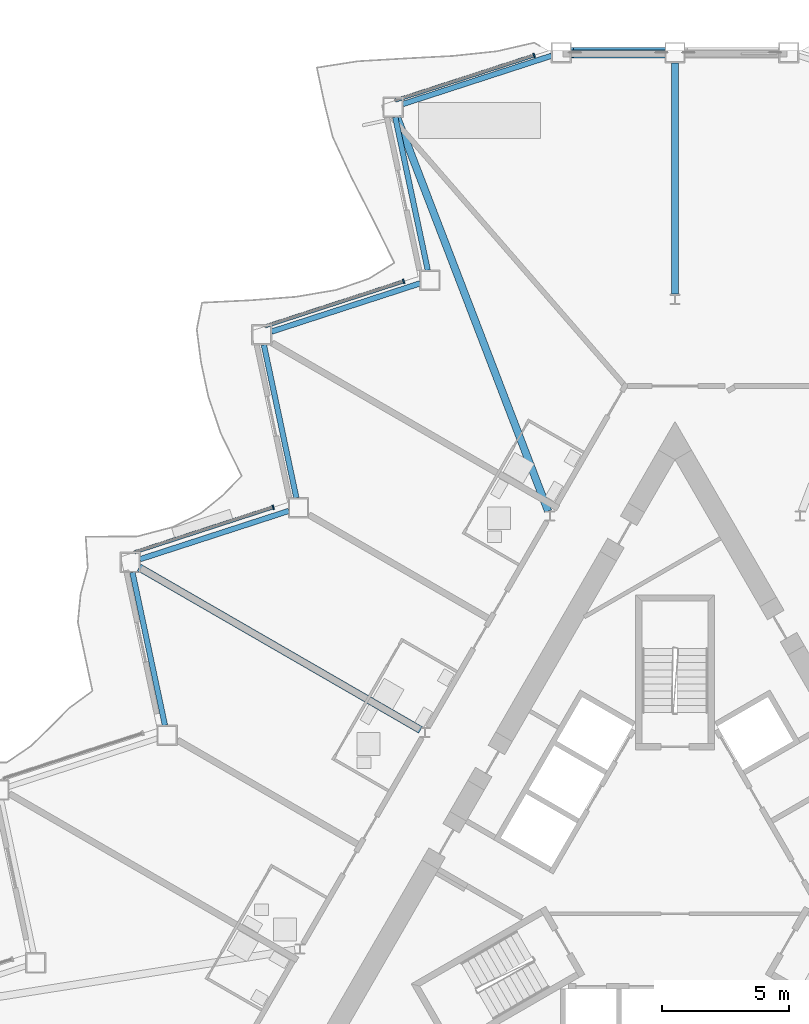
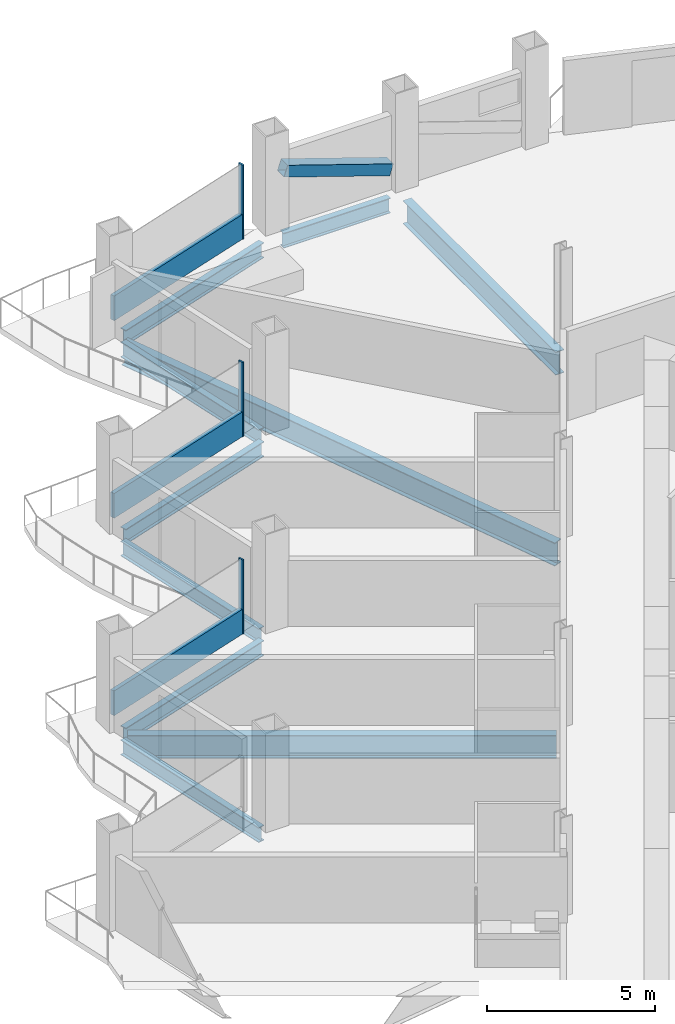
# One storey, part 7 of 23: 10 beams, 7 members, 3 elements without a shape of their own.
"""IFC4 building model written with IfcOpenShell, lengths in metres."""

from ifc_helpers import new_model, si_unit, direction, frame, origin, origin_2d, place, context, subcontext, project, spatial, rectangle, hollow_rectangle, i_section, extrude, material, layer, layer_set, material_profile, profile_set, type_object, element, aggregate, save


model = new_model("IFC4")

# Units and contexts
model_context = context("Model", 3, precision=1e-05, world=origin(), true_north=direction((0.0, 1.0)))
body_context = subcontext(model_context, "Body", "Model", "MODEL_VIEW")
ifc_project = project(units=[si_unit("LENGTHUNIT", "METRE"), si_unit("AREAUNIT", "SQUARE_METRE"), si_unit("VOLUMEUNIT", "CUBIC_METRE"), si_unit("PLANEANGLEUNIT", "RADIAN"), si_unit("MASSUNIT", "GRAM", prefix="KILO")], contexts=[model_context])

# Site, building, storey
site_placement = place(None, origin())
site = spatial("IfcSite", under=ifc_project, at=site_placement, CompositionType="ELEMENT")
building_placement = place(site_placement, origin())
building = spatial("IfcBuilding", under=site, at=building_placement, Name="Cormorant Prow Tower", CompositionType="ELEMENT")
storey_placement = place(building_placement, frame((0.0, 0.0, 180.0)))
storey = spatial("IfcBuildingStorey", under=building, at=storey_placement, Name="L38", CompositionType="ELEMENT", Elevation=180.0)

# Member
ifc_material_1 = material(Name="Structural steel ASTM A500 Gr C", Category="steel")
ifc_material_profile_1 = material_profile(ifc_material_1, hollow_rectangle(XDim=0.406494140625, YDim=0.406494140625, WallThickness=0.01171875, at=origin_2d()), Name="HSS16x16x1/2")
ifc_profile_set_1 = profile_set([ifc_material_profile_1], Name="Structural steel ASTM A500 Gr C")
member_type_1 = type_object("IfcMemberType", Name="Chamfer brace HSS16x16x1/2", PredefinedType="BRACE", material=ifc_profile_set_1)
member_1_placement = place(storey_placement, frame((-0.417236328125, 32.3994140625, 0.739990234375), z_axis=(-0.947980792039, 0.0, 0.318327532464), x_axis=(0.0, -1.0, 0.0)))
element("IfcMember", 1, at=member_1_placement, inside=storey, type_object=member_type_1, Name="Chamfer brace BR2 at N01 L38", PredefinedType="BRACE", context=body_context, shape_type="SweptSolid", body=[
    extrude(hollow_rectangle(XDim=0.406494140625, YDim=0.406494140625, WallThickness=0.01171875, at=origin_2d()), origin(), (0.0, 0.0, 1.0), 3.83544921875),
])

# Curtain wall, member
ifc_material_2 = material(Name="Aluminium 6063-T6", Category="aluminium")
ifc_layer = layer(ifc_material_2, 0.179931640625)
ifc_layer_set = layer_set([ifc_layer], Name="Aluminium 6063-T6")
curtain_wall_type = type_object("IfcCurtainWallType", Name="Hotel unitised curtain wall 180", PredefinedType="NOTDEFINED", material=ifc_layer_set)
curtain_wall_1_placement = place(storey_placement, origin())
curtain_wall_1 = element("IfcCurtainWall", 2, at=curtain_wall_1_placement, inside=storey, type_object=curtain_wall_type, Name="Hotel curtain wall WNW00", PredefinedType="NOTDEFINED")
ifc_material_3 = material(Name="Aluminium 6063-T6", Category="aluminium")
ifc_material_profile_2 = material_profile(ifc_material_3, rectangle(XDim=0.179931640625, YDim=0.06005859375, at=origin_2d()), Name="Hotel mullion 60x180")
ifc_profile_set_2 = profile_set([ifc_material_profile_2], Name="Aluminium 6063-T6")
member_type_2 = type_object("IfcMemberType", Name="Hotel mullion 60x180", PredefinedType="MULLION", material=ifc_profile_set_2)
member_2_placement = place(storey_placement, frame((-5.54052734375, 32.287109375, 0.0), z_axis=(0.0, 0.0, 1.0), x_axis=(0.309016960463, -0.951056527314, 0.0)))
member_2 = element("IfcMember", 3, at=member_2_placement, type_object=member_type_2, Name="Hotel mullion WNW00", PredefinedType="MULLION", context=body_context, shape_type="SweptSolid", body=[
    extrude(rectangle(XDim=0.179931640625, YDim=0.06005859375, at=origin_2d()), origin(), (0.0, 0.0, 1.0), 2.700927734375),
])

curtain_wall_2_placement = place(storey_placement, origin())
curtain_wall_2 = element("IfcCurtainWall", 4, at=curtain_wall_2_placement, inside=storey, type_object=curtain_wall_type, Name="Hotel curtain wall WNW02", PredefinedType="NOTDEFINED")
member_3_placement = place(storey_placement, frame((-10.667724609375, 23.40673828125, 0.0), z_axis=(0.0, 0.0, 1.0), x_axis=(0.309016960463, -0.951056527314, 0.0)))
member_3 = element("IfcMember", 5, at=member_3_placement, type_object=member_type_2, Name="Hotel mullion WNW02", PredefinedType="MULLION", context=body_context, shape_type="SweptSolid", body=[
    extrude(rectangle(XDim=0.179931640625, YDim=0.06005859375, at=origin_2d()), origin(), (0.0, 0.0, 1.0), 2.700927734375),
])

curtain_wall_3_placement = place(storey_placement, origin())
curtain_wall_3 = element("IfcCurtainWall", 6, at=curtain_wall_3_placement, inside=storey, type_object=curtain_wall_type, Name="Hotel curtain wall WNW04", PredefinedType="NOTDEFINED")
member_4_placement = place(storey_placement, frame((-15.794677734375, 14.5263671875, 0.0), z_axis=(0.0, 0.0, 1.0), x_axis=(0.309017048969, -0.951056498556, 0.0)))
member_4 = element("IfcMember", 7, at=member_4_placement, type_object=member_type_2, Name="Hotel mullion WNW04", PredefinedType="MULLION", context=body_context, shape_type="SweptSolid", body=[
    extrude(rectangle(XDim=0.179931640625, YDim=0.06005859375, at=origin_2d()), origin(), (0.0, 0.0, 1.0), 2.700927734375),
])

# Member
ifc_material_4 = material(Name="Terracotta", Category="masonry")
ifc_material_profile_3 = material_profile(ifc_material_4, rectangle(XDim=0.139892578125, YDim=0.89990234375, at=origin_2d()), Name="Hotel terracotta spandrel rail 140x900")
ifc_profile_set_3 = profile_set([ifc_material_profile_3], Name="Terracotta")
member_type_3 = type_object("IfcMemberType", Name="Hotel terracotta spandrel rail 140x900", PredefinedType="USERDEFINED", material=ifc_profile_set_3)
member_5_placement = place(storey_placement, frame((-5.569091796875, 32.27783203125, 0.449951171875), z_axis=(-0.951053256447, -0.309027026975, 0.0), x_axis=(0.309027026975, -0.951053256447, 0.0)))
member_5 = element("IfcMember", 8, at=member_5_placement, type_object=member_type_3, Name="Hotel spandrel rail WNW00", ObjectType="TRANSOM", PredefinedType="USERDEFINED", context=body_context, shape_type="SweptSolid", body=[
    extrude(rectangle(XDim=0.139892578125, YDim=0.89990234375, at=origin_2d()), origin(), (0.0, 0.0, 1.0), 5.703125),
])

aggregate(curtain_wall_1, [member_2, member_5])

member_6_placement = place(storey_placement, frame((-10.6962890625, 23.3974609375, 0.449951171875), z_axis=(-0.951053256447, -0.309027026975, 0.0), x_axis=(0.309027026975, -0.951053256447, 0.0)))
member_6 = element("IfcMember", 9, at=member_6_placement, type_object=member_type_3, Name="Hotel spandrel rail WNW02", ObjectType="TRANSOM", PredefinedType="USERDEFINED", context=body_context, shape_type="SweptSolid", body=[
    extrude(rectangle(XDim=0.139892578125, YDim=0.89990234375, at=origin_2d()), origin(), (0.0, 0.0, 1.0), 5.703125),
])

aggregate(curtain_wall_2, [member_3, member_6])

member_7_placement = place(storey_placement, frame((-15.8232421875, 14.51708984375, 0.449951171875), z_axis=(-0.951053256447, -0.309027026975, 0.0), x_axis=(0.309027026975, -0.951053256447, 0.0)))
member_7 = element("IfcMember", 10, at=member_7_placement, type_object=member_type_3, Name="Hotel spandrel rail WNW04", ObjectType="TRANSOM", PredefinedType="USERDEFINED", context=body_context, shape_type="SweptSolid", body=[
    extrude(rectangle(XDim=0.139892578125, YDim=0.89990234375, at=origin_2d()), origin(), (0.0, 0.0, 1.0), 5.703125),
])

aggregate(curtain_wall_3, [member_4, member_7])

# Beams
ifc_material_5 = material(Name="Structural steel ASTM A992 Gr 50", Category="steel")
ifc_material_profile_4 = material_profile(ifc_material_5, i_section(OverallWidth=0.29296875, OverallDepth=0.845703125, WebThickness=0.015380859375, FlangeThickness=0.0244140625, at=origin_2d()), Name="W33x141")
ifc_profile_set_4 = profile_set([ifc_material_profile_4], Name="Structural steel ASTM A992 Gr 50")
beam_type_1 = type_object("IfcBeamType", Name="Radial floor beam W33x141", PredefinedType="BEAM", material=ifc_profile_set_4)
beam_1_placement = place(storey_placement, frame((0.0, 22.901611328125, -0.77294921875), z_axis=(0.0, 1.0, 0.0), x_axis=(-1.0, 0.0, 0.0)))
element("IfcBeam", 11, at=beam_1_placement, inside=storey, type_object=beam_type_1, Name="Radial floor beam FB2 1 L38", PredefinedType="BEAM", context=body_context, shape_type="SweptSolid", body=[
    extrude(i_section(OverallWidth=0.29296875, OverallDepth=0.845703125, WebThickness=0.015380859375, FlangeThickness=0.0244140625, at=origin_2d()), origin(), (0.0, 0.0, 1.0), 9.097900390625),
])
beam_2_placement = place(storey_placement, frame((-4.9873046875, 14.376220703125, -0.77294921875), z_axis=(-0.358301123829, 0.933606075742, 0.0), x_axis=(-0.933606075742, -0.358301123829, 0.0)))
element("IfcBeam", 12, at=beam_2_placement, inside=storey, type_object=beam_type_1, Name="Radial floor beam FB2 2 L38", PredefinedType="BEAM", context=body_context, shape_type="SweptSolid", body=[
    extrude(i_section(OverallWidth=0.29296875, OverallDepth=0.845703125, WebThickness=0.015380859375, FlangeThickness=0.0244140625, at=origin_2d()), origin(), (0.0, 0.0, 1.0), 16.604736328125),
])
beam_3_placement = place(storey_placement, frame((-10.0048828125, 5.7763671875, -0.77294921875), z_axis=(-0.866026069776, 0.499998846467, 0.0), x_axis=(-0.499998846467, -0.866026069776, 0.0)))
element("IfcBeam", 13, at=beam_3_placement, inside=storey, type_object=beam_type_1, Name="Radial floor beam FB2 3 L38", PredefinedType="BEAM", context=body_context, shape_type="SweptSolid", body=[
    extrude(i_section(OverallWidth=0.29296875, OverallDepth=0.845703125, WebThickness=0.015380859375, FlangeThickness=0.0244140625, at=origin_2d()), origin(), (0.0, 0.0, 1.0), 12.76904296875),
])
ifc_material_6 = material(Name="Structural steel ASTM A992 Gr 50", Category="steel")
ifc_material_profile_5 = material_profile(ifc_material_6, i_section(OverallWidth=0.2138671875, OverallDepth=0.549072265625, WebThickness=0.0146484375, FlangeThickness=0.023681640625, at=origin_2d()), Name="W21x93")
ifc_profile_set_5 = profile_set([ifc_material_profile_5], Name="Structural steel ASTM A992 Gr 50")
beam_type_2 = type_object("IfcBeamType", Name="Spandrel beam W21x93", PredefinedType="SPANDREL", material=ifc_profile_set_5)
beam_4_placement = place(storey_placement, frame((-0.39990234375, 32.3994140625, -0.62451171875), z_axis=(-1.0, 0.0, 0.0), x_axis=(0.0, -1.0, 0.0)))
element("IfcBeam", 14, at=beam_4_placement, inside=storey, type_object=beam_type_2, Name="Spandrel beam SB2 N01-WNW00 L38", PredefinedType="SPANDREL", context=body_context, shape_type="SweptSolid", body=[
    extrude(i_section(OverallWidth=0.2138671875, OverallDepth=0.549072265625, WebThickness=0.0146484375, FlangeThickness=0.023681640625, at=origin_2d()), origin(), (0.0, 0.0, 1.0), 3.67041015625),
])
beam_5_placement = place(storey_placement, frame((-4.850830078125, 32.27587890625, -0.62451171875), z_axis=(-0.951057696564, -0.309013361859, 0.0), x_axis=(0.309013361859, -0.951057696564, 0.0)))
element("IfcBeam", 15, at=beam_5_placement, inside=storey, type_object=beam_type_2, Name="Spandrel beam SB2 WNW00-WNW01 L38", PredefinedType="SPANDREL", context=body_context, shape_type="SweptSolid", body=[
    extrude(i_section(OverallWidth=0.2138671875, OverallDepth=0.549072265625, WebThickness=0.0146484375, FlangeThickness=0.023681640625, at=origin_2d()), origin(), (0.0, 0.0, 1.0), 6.14990234375),
])
beam_6_placement = place(storey_placement, frame((-10.996826171875, 29.860595703125, -0.62451171875), z_axis=(0.207904811195, -0.978149063018, 0.0), x_axis=(0.978149063018, 0.207904811195, 0.0)))
element("IfcBeam", 16, at=beam_6_placement, inside=storey, type_object=beam_type_2, Name="Spandrel beam SB2 WNW01-WNW02 L38", PredefinedType="SPANDREL", context=body_context, shape_type="SweptSolid", body=[
    extrude(i_section(OverallWidth=0.2138671875, OverallDepth=0.549072265625, WebThickness=0.0146484375, FlangeThickness=0.023681640625, at=origin_2d()), origin(), (0.0, 0.0, 1.0), 6.149658203125),
])
beam_7_placement = place(storey_placement, frame((-10.015625, 23.330322265625, -0.62451171875), z_axis=(-0.951057696564, -0.309013361859, 0.0), x_axis=(0.309013361859, -0.951057696564, 0.0)))
element("IfcBeam", 17, at=beam_7_placement, inside=storey, type_object=beam_type_2, Name="Spandrel beam SB2 WNW02-WNW03 L38", PredefinedType="SPANDREL", context=body_context, shape_type="SweptSolid", body=[
    extrude(i_section(OverallWidth=0.2138671875, OverallDepth=0.549072265625, WebThickness=0.0146484375, FlangeThickness=0.023681640625, at=origin_2d()), origin(), (0.0, 0.0, 1.0), 6.14990234375),
])
beam_8_placement = place(storey_placement, frame((-16.16162109375, 20.9150390625, -0.62451171875), z_axis=(0.207904811195, -0.978149063018, 0.0), x_axis=(0.978149063018, 0.207904811195, 0.0)))
element("IfcBeam", 18, at=beam_8_placement, inside=storey, type_object=beam_type_2, Name="Spandrel beam SB2 WNW03-WNW04 L38", PredefinedType="SPANDREL", context=body_context, shape_type="SweptSolid", body=[
    extrude(i_section(OverallWidth=0.2138671875, OverallDepth=0.549072265625, WebThickness=0.0146484375, FlangeThickness=0.023681640625, at=origin_2d()), origin(), (0.0, 0.0, 1.0), 6.149658203125),
])
beam_9_placement = place(storey_placement, frame((-15.18017578125, 14.384765625, -0.62451171875), z_axis=(-0.951057696564, -0.309013361859, 0.0), x_axis=(0.309013361859, -0.951057696564, 0.0)))
element("IfcBeam", 19, at=beam_9_placement, inside=storey, type_object=beam_type_2, Name="Spandrel beam SB2 WNW04-WNW05 L38", PredefinedType="SPANDREL", context=body_context, shape_type="SweptSolid", body=[
    extrude(i_section(OverallWidth=0.2138671875, OverallDepth=0.549072265625, WebThickness=0.0146484375, FlangeThickness=0.023681640625, at=origin_2d()), origin(), (0.0, 0.0, 1.0), 6.14990234375),
])
beam_10_placement = place(storey_placement, frame((-21.326416015625, 11.969482421875, -0.62451171875), z_axis=(0.207904811195, -0.978149063018, 0.0), x_axis=(0.978149063018, 0.207904811195, 0.0)))
element("IfcBeam", 20, at=beam_10_placement, inside=storey, type_object=beam_type_2, Name="Spandrel beam SB2 WNW05-WNW06 L38", PredefinedType="SPANDREL", context=body_context, shape_type="SweptSolid", body=[
    extrude(i_section(OverallWidth=0.2138671875, OverallDepth=0.549072265625, WebThickness=0.0146484375, FlangeThickness=0.023681640625, at=origin_2d()), origin(), (0.0, 0.0, 1.0), 6.149658203125),
])

save(model, "model.ifc")
